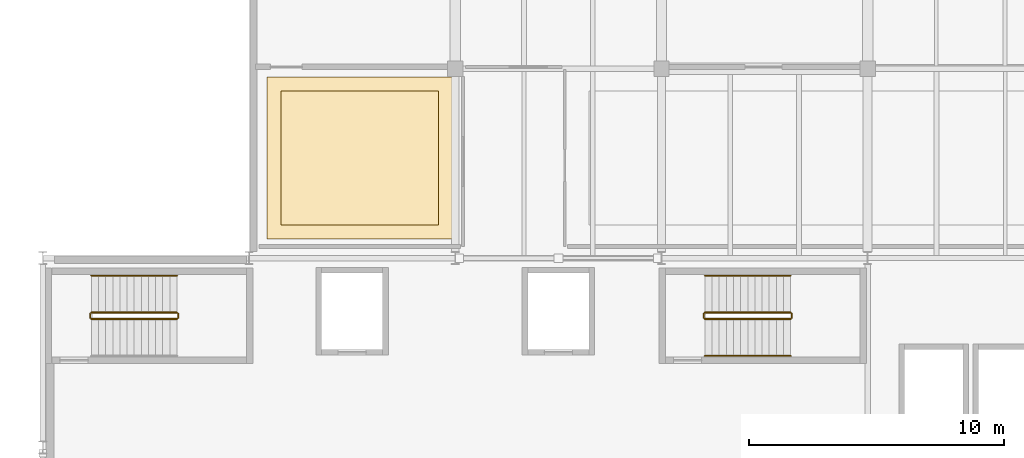
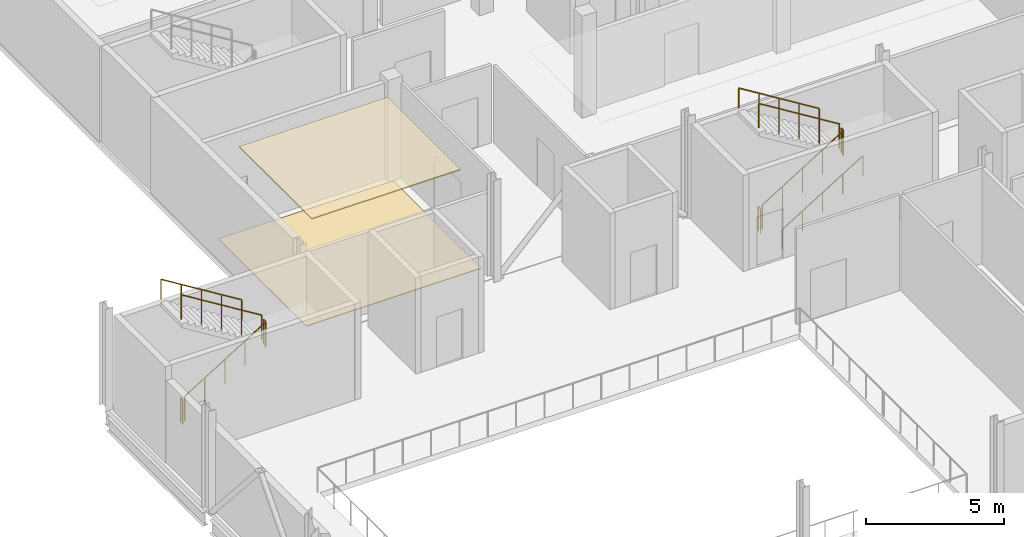
# One storey, part 53 of 56: 11 railings, 2 coverings.
"""IFC4 building model written with IfcOpenShell, lengths in metres."""

from ifc_helpers import new_model, si_unit, direction, frame, origin, origin_2d, place, context, subcontext, project, spatial, polyline, circle, outline, extrude, material, layer, layer_set, type_object, element, save


model = new_model("IFC4")

# Units and contexts
model_context = context("Model", 3, precision=1e-05, world=origin(), true_north=direction((0.0, 1.0)))
body_context = subcontext(model_context, "Body", "Model", "MODEL_VIEW")
ifc_project = project(units=[si_unit("LENGTHUNIT", "METRE"), si_unit("AREAUNIT", "SQUARE_METRE"), si_unit("VOLUMEUNIT", "CUBIC_METRE"), si_unit("PLANEANGLEUNIT", "RADIAN"), si_unit("MASSUNIT", "GRAM", prefix="KILO")], contexts=[model_context])

# Site, building, storey
site_placement = place(None, origin())
site = spatial("IfcSite", under=ifc_project, at=site_placement, CompositionType="ELEMENT")
building_placement = place(site_placement, origin())
building = spatial("IfcBuilding", under=site, at=building_placement, Name="Kaelora Sail Theatre", CompositionType="ELEMENT")
storey_placement = place(building_placement, frame((0.0, 0.0, 14.699951171875)))
storey = spatial("IfcBuildingStorey", under=building, at=storey_placement, Name="L03", CompositionType="ELEMENT", Elevation=14.699951171875)

# Coverings
ifc_material_1 = material(Name="Micro-perforated timber acoustic reflector", Category="wood")
ifc_layer_1 = layer(ifc_material_1, 0.050048828125)
ifc_layer_set_1 = layer_set([ifc_layer_1], Name="Micro-perforated timber acoustic reflector")
covering_type_1 = type_object("IfcCoveringType", Name="ARC-COV-CLG-AC-50", PredefinedType="CEILING", material=ifc_layer_set_1)
covering_1_placement = place(storey_placement, frame((0.0, 0.0, 4.195068359375)))
element("IfcCovering", 1, at=covering_1_placement, inside=storey, type_object=covering_type_1, Name="Acoustic ceiling L03-SCORE-W2", PredefinedType="CEILING", context=body_context, shape_type="SweptSolid", body=[
    extrude(outline(polyline([(35.14990234375, 84.64990234375), (41.35009765625, 84.64990234375), (41.35009765625, 89.89990234375), (35.14990234375, 89.89990234375), (35.14990234375, 84.64990234375)])), origin(), (0.0, 0.0, 1.0), 0.050048828125),
])
ifc_material_2 = material(Name="Sprung West African iroko stage and dance floor", Category="timber")
ifc_layer_2 = layer(ifc_material_2, 0.028076171875)
ifc_layer_set_2 = layer_set([ifc_layer_2], Name="Sprung West African iroko stage and dance floor")
covering_type_2 = type_object("IfcCoveringType", Name="ARC-COV-FLR-OAK-28", PredefinedType="FLOORING", material=ifc_layer_set_2)
covering_2_placement = place(storey_placement, origin())
element("IfcCovering", 2, at=covering_2_placement, inside=storey, type_object=covering_type_2, Name="Architectural flooring L03-SCORE-W2", PredefinedType="FLOORING", context=body_context, shape_type="SweptSolid", body=[
    extrude(outline(polyline([(34.60009765625, 84.10009765625), (41.89990234375, 84.10009765625), (41.89990234375, 90.449951171875), (34.60009765625, 90.449951171875), (34.60009765625, 84.10009765625)])), origin(), (0.0, 0.0, 1.0), 0.028076171875),
])

# Railings
ifc_material_3 = material(Name="Painted steel and laminated safety glass guard", Category="steel")
railing_type_1 = type_object("IfcRailingType", Name="ARC-RL-GRD", PredefinedType="GUARDRAIL", material=ifc_material_3)
railing_1_placement = place(storey_placement, frame((27.7099609375, 80.949951171875, 0.173095703125)))
element("IfcRailing", 3, at=railing_1_placement, inside=storey, type_object=railing_type_1, Name="L03 ST-K1 stair guard 1", PredefinedType="GUARDRAIL", context=body_context, shape_type="SweptSolid", body=[
    extrude(circle(Radius=0.02392578125, at=origin_2d()), frame((0.0, 0.0, 1.076171875), z_axis=(0.850623216509, 0.0, 0.525775754039), x_axis=(0.0, 1.0, 0.0)), (0.0, 0.0, 1.0), 3.9501953125),
    extrude(circle(Radius=0.02099609375, at=origin_2d()), origin(), (0.0, 0.0, 1.0), 1.052001953125),
    extrude(circle(Radius=0.02099609375, at=origin_2d()), frame((0.840087890625, 0.0, 0.519287109375)), (0.0, 0.0, 1.0), 1.052001953125),
    extrude(circle(Radius=0.02099609375, at=origin_2d()), frame((1.68017578125, 0.0, 1.03857421875)), (0.0, 0.0, 1.0), 1.052001953125),
    extrude(circle(Radius=0.02099609375, at=origin_2d()), frame((2.52001953125, 0.0, 1.5576171875)), (0.0, 0.0, 1.0), 1.052001953125),
    extrude(circle(Radius=0.02099609375, at=origin_2d()), frame((3.360107421875, 0.0, 2.076904296875)), (0.0, 0.0, 1.0), 1.052001953125),
])
railing_2_placement = place(storey_placement, frame((31.1201171875, 81.0, 2.25)))
element("IfcRailing", 4, at=railing_2_placement, inside=storey, type_object=railing_type_1, Name="L03 ST-K1 stair guard 2", PredefinedType="GUARDRAIL", context=body_context, shape_type="SweptSolid", body=[
    extrude(circle(Radius=0.02392578125, at=origin_2d()), frame((0.0, 0.0, 1.076171875), z_axis=(0.0, 1.0, 0.0), x_axis=(-1.0, 0.0, 0.0)), (0.0, 0.0, 1.0), 0.14990234375),
    extrude(circle(Radius=0.02099609375, at=origin_2d()), origin(), (0.0, 0.0, 1.0), 1.052001953125),
    extrude(circle(Radius=0.02099609375, at=origin_2d()), frame((0.0, 0.14990234375, 0.0)), (0.0, 0.0, 1.0), 1.052001953125),
])
railing_3_placement = place(storey_placement, frame((31.070068359375, 81.199951171875, 2.423095703125)))
element("IfcRailing", 5, at=railing_3_placement, inside=storey, type_object=railing_type_1, Name="L03 ST-K1 stair guard 3", PredefinedType="GUARDRAIL", context=body_context, shape_type="SweptSolid", body=[
    extrude(circle(Radius=0.02392578125, at=origin_2d()), frame((0.0, 0.0, 1.076171875), z_axis=(-0.850623216509, 0.0, 0.525775754039), x_axis=(0.0, -1.0, 0.0)), (0.0, 0.0, 1.0), 3.9501953125),
    extrude(circle(Radius=0.02099609375, at=origin_2d()), origin(), (0.0, 0.0, 1.0), 1.052001953125),
    extrude(circle(Radius=0.02099609375, at=origin_2d()), frame((-0.840087890625, 0.0, 0.519287109375)), (0.0, 0.0, 1.0), 1.052001953125),
    extrude(circle(Radius=0.02099609375, at=origin_2d()), frame((-1.68017578125, 0.0, 1.03857421875)), (0.0, 0.0, 1.0), 1.052001953125),
    extrude(circle(Radius=0.02099609375, at=origin_2d()), frame((-2.52001953125, 0.0, 1.5576171875)), (0.0, 0.0, 1.0), 1.052001953125),
    extrude(circle(Radius=0.02099609375, at=origin_2d()), frame((-3.360107421875, 0.0, 2.076904296875)), (0.0, 0.0, 1.0), 1.052001953125),
])
railing_4_placement = place(storey_placement, frame((27.659912109375, 81.0, 0.0)))
element("IfcRailing", 6, at=railing_4_placement, inside=storey, type_object=railing_type_1, Name="L03 ST-K1 stair guard 4", PredefinedType="GUARDRAIL", context=body_context, shape_type="SweptSolid", body=[
    extrude(circle(Radius=0.02392578125, at=origin_2d()), frame((0.0, 0.0, 1.076171875), z_axis=(0.0, 1.0, 0.0), x_axis=(-1.0, 0.0, 0.0)), (0.0, 0.0, 1.0), 0.14990234375),
    extrude(circle(Radius=0.02099609375, at=origin_2d()), origin(), (0.0, 0.0, 1.0), 1.052001953125),
    extrude(circle(Radius=0.02099609375, at=origin_2d()), frame((0.0, 0.14990234375, 0.0)), (0.0, 0.0, 1.0), 1.052001953125),
])
railing_5_placement = place(storey_placement, frame((51.81005859375, 80.949951171875, 0.173095703125)))
element("IfcRailing", 7, at=railing_5_placement, inside=storey, type_object=railing_type_1, Name="L03 ST-K5 stair guard 1", PredefinedType="GUARDRAIL", context=body_context, shape_type="SweptSolid", body=[
    extrude(circle(Radius=0.02392578125, at=origin_2d()), frame((0.0, 0.0, 1.076171875), z_axis=(0.850606129759, 0.0, 0.525803396734), x_axis=(0.0, 1.0, 0.0)), (0.0, 0.0, 1.0), 3.949951171875),
    extrude(circle(Radius=0.02099609375, at=origin_2d()), origin(), (0.0, 0.0, 1.0), 1.052001953125),
    extrude(circle(Radius=0.02099609375, at=origin_2d()), frame((0.83984375, 0.0, 0.519287109375)), (0.0, 0.0, 1.0), 1.052001953125),
    extrude(circle(Radius=0.02099609375, at=origin_2d()), frame((1.679931640625, 0.0, 1.03857421875)), (0.0, 0.0, 1.0), 1.052001953125),
    extrude(circle(Radius=0.02099609375, at=origin_2d()), frame((2.52001953125, 0.0, 1.5576171875)), (0.0, 0.0, 1.0), 1.052001953125),
    extrude(circle(Radius=0.02099609375, at=origin_2d()), frame((3.35986328125, 0.0, 2.076904296875)), (0.0, 0.0, 1.0), 1.052001953125),
])
railing_6_placement = place(storey_placement, frame((55.219970703125, 81.0, 2.25)))
element("IfcRailing", 8, at=railing_6_placement, inside=storey, type_object=railing_type_1, Name="L03 ST-K5 stair guard 2", PredefinedType="GUARDRAIL", context=body_context, shape_type="SweptSolid", body=[
    extrude(circle(Radius=0.02392578125, at=origin_2d()), frame((0.0, 0.0, 1.076171875), z_axis=(0.0, 1.0, 0.0), x_axis=(-1.0, 0.0, 0.0)), (0.0, 0.0, 1.0), 0.14990234375),
    extrude(circle(Radius=0.02099609375, at=origin_2d()), origin(), (0.0, 0.0, 1.0), 1.052001953125),
    extrude(circle(Radius=0.02099609375, at=origin_2d()), frame((0.0, 0.14990234375, 0.0)), (0.0, 0.0, 1.0), 1.052001953125),
])
railing_7_placement = place(storey_placement, frame((55.169921875, 81.199951171875, 2.423095703125)))
element("IfcRailing", 9, at=railing_7_placement, inside=storey, type_object=railing_type_1, Name="L03 ST-K5 stair guard 3", PredefinedType="GUARDRAIL", context=body_context, shape_type="SweptSolid", body=[
    extrude(circle(Radius=0.02392578125, at=origin_2d()), frame((0.0, 0.0, 1.076171875), z_axis=(-0.850606129759, 0.0, 0.525803396734), x_axis=(0.0, -1.0, 0.0)), (0.0, 0.0, 1.0), 3.949951171875),
    extrude(circle(Radius=0.02099609375, at=origin_2d()), origin(), (0.0, 0.0, 1.0), 1.052001953125),
    extrude(circle(Radius=0.02099609375, at=origin_2d()), frame((-0.83984375, 0.0, 0.519287109375)), (0.0, 0.0, 1.0), 1.052001953125),
    extrude(circle(Radius=0.02099609375, at=origin_2d()), frame((-1.679931640625, 0.0, 1.03857421875)), (0.0, 0.0, 1.0), 1.052001953125),
    extrude(circle(Radius=0.02099609375, at=origin_2d()), frame((-2.52001953125, 0.0, 1.5576171875)), (0.0, 0.0, 1.0), 1.052001953125),
    extrude(circle(Radius=0.02099609375, at=origin_2d()), frame((-3.35986328125, 0.0, 2.076904296875)), (0.0, 0.0, 1.0), 1.052001953125),
])
railing_8_placement = place(storey_placement, frame((51.760009765625, 81.0, 0.0)))
element("IfcRailing", 10, at=railing_8_placement, inside=storey, type_object=railing_type_1, Name="L03 ST-K5 stair guard 4", PredefinedType="GUARDRAIL", context=body_context, shape_type="SweptSolid", body=[
    extrude(circle(Radius=0.02392578125, at=origin_2d()), frame((0.0, 0.0, 1.076171875), z_axis=(0.0, 1.0, 0.0), x_axis=(-1.0, 0.0, 0.0)), (0.0, 0.0, 1.0), 0.14990234375),
    extrude(circle(Radius=0.02099609375, at=origin_2d()), origin(), (0.0, 0.0, 1.0), 1.052001953125),
    extrude(circle(Radius=0.02099609375, at=origin_2d()), frame((0.0, 0.14990234375, 0.0)), (0.0, 0.0, 1.0), 1.052001953125),
])
ifc_material_4 = material(Name="Brushed stainless steel 316L tubular handrail", Category="steel")
railing_type_2 = type_object("IfcRailingType", Name="ARC-RL-HND", PredefinedType="HANDRAIL", material=ifc_material_4)
railing_9_placement = place(storey_placement, frame((31.070068359375, 82.64990234375, 2.423095703125)))
element("IfcRailing", 11, at=railing_9_placement, inside=storey, type_object=railing_type_2, Name="L03 ST-K1 stair handrail 2", PredefinedType="HANDRAIL", context=body_context, shape_type="SweptSolid", body=[
    extrude(circle(Radius=0.02392578125, at=origin_2d()), frame((0.0, 0.0, 0.8759765625), z_axis=(-0.850623216509, 0.0, 0.525775754039), x_axis=(0.0, -1.0, 0.0)), (0.0, 0.0, 1.0), 3.9501953125),
    extrude(circle(Radius=0.02099609375, at=origin_2d()), origin(), (0.0, 0.0, 1.0), 0.851806640625),
    extrude(circle(Radius=0.02099609375, at=origin_2d()), frame((-0.840087890625, 0.0, 0.519287109375)), (0.0, 0.0, 1.0), 0.851806640625),
    extrude(circle(Radius=0.02099609375, at=origin_2d()), frame((-1.68017578125, 0.0, 1.03857421875)), (0.0, 0.0, 1.0), 0.851806640625),
    extrude(circle(Radius=0.02099609375, at=origin_2d()), frame((-2.52001953125, 0.0, 1.5576171875)), (0.0, 0.0, 1.0), 0.851806640625),
    extrude(circle(Radius=0.02099609375, at=origin_2d()), frame((-3.360107421875, 0.0, 2.076904296875)), (0.0, 0.0, 1.0), 0.851806640625),
])
railing_10_placement = place(storey_placement, frame((51.81005859375, 79.5, 0.173095703125)))
element("IfcRailing", 12, at=railing_10_placement, inside=storey, type_object=railing_type_2, Name="L03 ST-K5 stair handrail 1", PredefinedType="HANDRAIL", context=body_context, shape_type="SweptSolid", body=[
    extrude(circle(Radius=0.02392578125, at=origin_2d()), frame((0.0, 0.0, 0.8759765625), z_axis=(0.850606129759, 0.0, 0.525803396734), x_axis=(0.0, 1.0, 0.0)), (0.0, 0.0, 1.0), 3.949951171875),
    extrude(circle(Radius=0.02099609375, at=origin_2d()), origin(), (0.0, 0.0, 1.0), 0.851806640625),
    extrude(circle(Radius=0.02099609375, at=origin_2d()), frame((0.83984375, 0.0, 0.519287109375)), (0.0, 0.0, 1.0), 0.851806640625),
    extrude(circle(Radius=0.02099609375, at=origin_2d()), frame((1.679931640625, 0.0, 1.03857421875)), (0.0, 0.0, 1.0), 0.851806640625),
    extrude(circle(Radius=0.02099609375, at=origin_2d()), frame((2.52001953125, 0.0, 1.5576171875)), (0.0, 0.0, 1.0), 0.851806640625),
    extrude(circle(Radius=0.02099609375, at=origin_2d()), frame((3.35986328125, 0.0, 2.076904296875)), (0.0, 0.0, 1.0), 0.851806640625),
])
railing_11_placement = place(storey_placement, frame((55.169921875, 82.64990234375, 2.423095703125)))
element("IfcRailing", 13, at=railing_11_placement, inside=storey, type_object=railing_type_2, Name="L03 ST-K5 stair handrail 2", PredefinedType="HANDRAIL", context=body_context, shape_type="SweptSolid", body=[
    extrude(circle(Radius=0.02392578125, at=origin_2d()), frame((0.0, 0.0, 0.8759765625), z_axis=(-0.850606129759, 0.0, 0.525803396734), x_axis=(0.0, -1.0, 0.0)), (0.0, 0.0, 1.0), 3.949951171875),
    extrude(circle(Radius=0.02099609375, at=origin_2d()), origin(), (0.0, 0.0, 1.0), 0.851806640625),
    extrude(circle(Radius=0.02099609375, at=origin_2d()), frame((-0.83984375, 0.0, 0.519287109375)), (0.0, 0.0, 1.0), 0.851806640625),
    extrude(circle(Radius=0.02099609375, at=origin_2d()), frame((-1.679931640625, 0.0, 1.03857421875)), (0.0, 0.0, 1.0), 0.851806640625),
    extrude(circle(Radius=0.02099609375, at=origin_2d()), frame((-2.52001953125, 0.0, 1.5576171875)), (0.0, 0.0, 1.0), 0.851806640625),
    extrude(circle(Radius=0.02099609375, at=origin_2d()), frame((-3.35986328125, 0.0, 2.076904296875)), (0.0, 0.0, 1.0), 0.851806640625),
])

save(model, "model.ifc")
